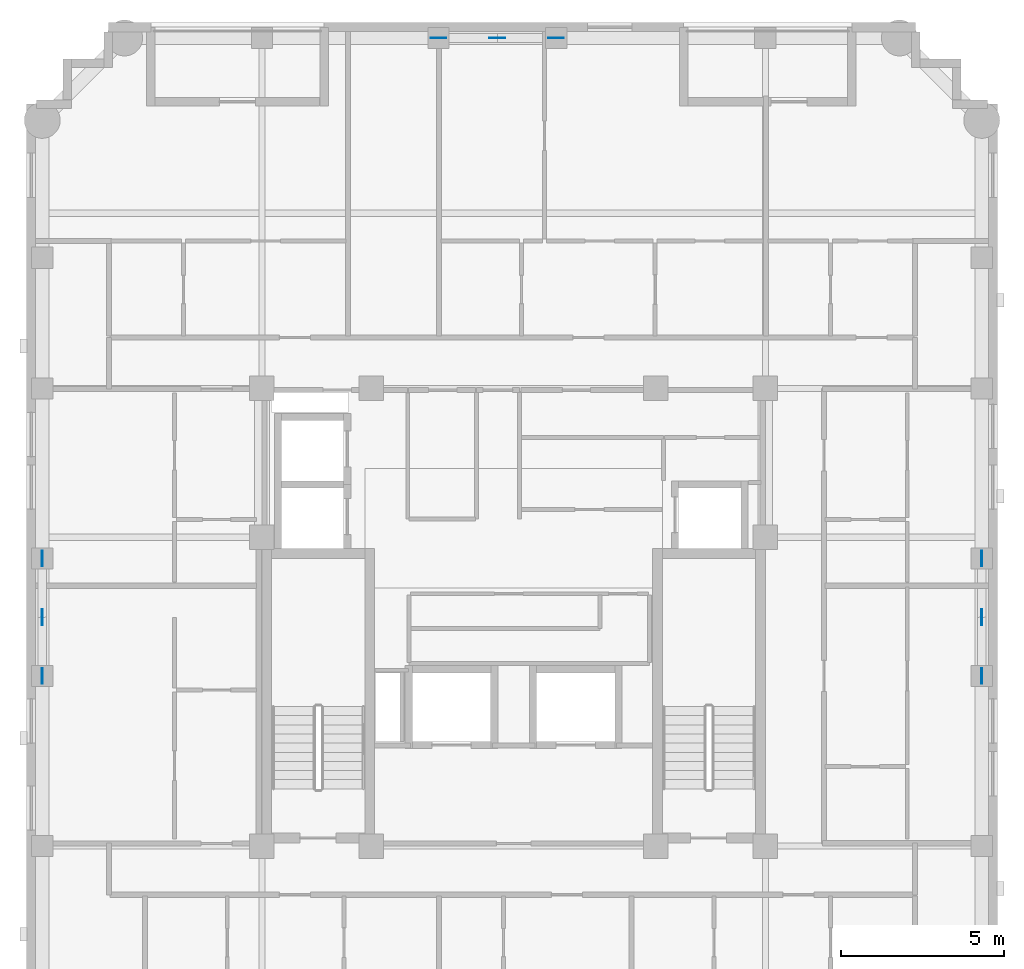
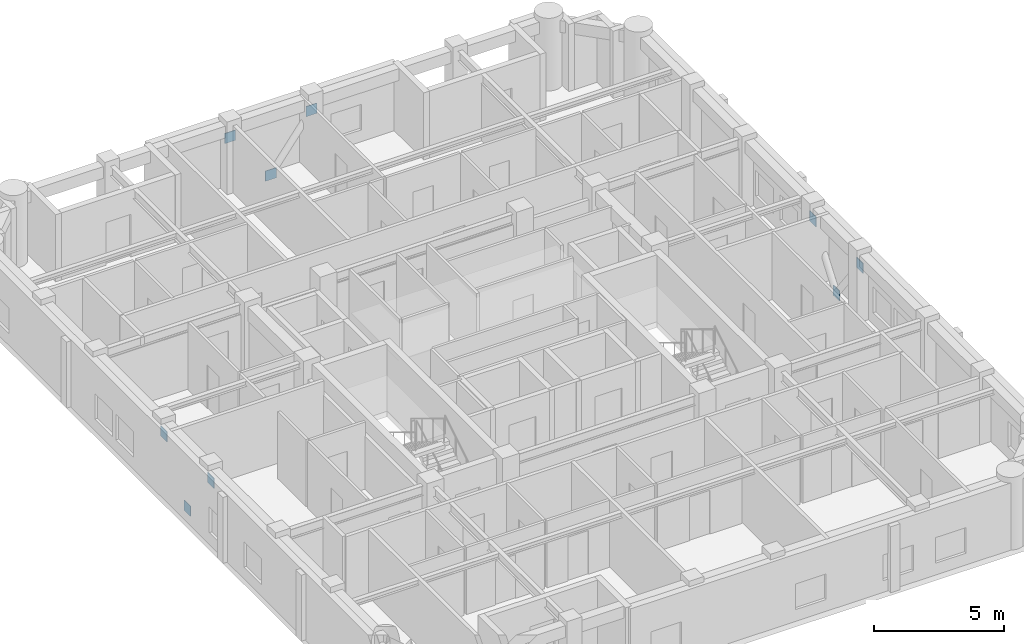
# One storey, part 8 of 10: 9 discrete accessories.
"""IFC4 building model written with IfcOpenShell, lengths in metres."""

from ifc_helpers import new_model, si_unit, derived_unit, direction, frame, origin, origin_2d, place, context, subcontext, project, spatial, rectangle, extrude, material, layer, layer_set, type_object, element, save


model = new_model("IFC4")

# Units and contexts
model_context = context("Model", 3, precision=1e-05, world=origin(), true_north=direction((0.0, 1.0)))
body_context = subcontext(model_context, "Body", "Model", "MODEL_VIEW")
ifc_project = project(units=[si_unit("LENGTHUNIT", "METRE"), si_unit("AREAUNIT", "SQUARE_METRE"), si_unit("VOLUMEUNIT", "CUBIC_METRE"), si_unit("PLANEANGLEUNIT", "RADIAN"), si_unit("MASSUNIT", "GRAM", prefix="KILO"), derived_unit("THERMALTRANSMITTANCEUNIT", [(si_unit("MASSUNIT", "GRAM", prefix="KILO"), 1), (si_unit("TIMEUNIT", "SECOND"), -3), (si_unit("THERMODYNAMICTEMPERATUREUNIT", "KELVIN"), -1)])], contexts=[model_context])

# Site, building, storey
site_placement = place(None, origin())
site = spatial("IfcSite", under=ifc_project, at=site_placement, CompositionType="ELEMENT")
building_placement = place(site_placement, origin())
building = spatial("IfcBuilding", under=site, at=building_placement, Name="Korrvale Station Residences", CompositionType="ELEMENT")
storey_placement = place(building_placement, frame((0.0, 0.0, 237.699951171875)))
storey = spatial("IfcBuildingStorey", under=building, at=storey_placement, Name="L69", CompositionType="ELEMENT", Elevation=237.699951171875)

# Discrete accessories
ifc_material = material(Name="Steel S355", Category="steel")
ifc_layer = layer(ifc_material, 0.02490234375, Name="Steel S355")
ifc_layer_set = layer_set([ifc_layer], Name="Steel S355")
discrete_accessory_type = type_object("IfcDiscreteAccessoryType", Name="ACC-GUSSET-25", PredefinedType="BRACKET", material=ifc_layer_set)
for number, where, z_axis, x_axis, name in (
    (1, (25.0, 39.719970703125, -0.219970703125), (0.0, 0.0, 1.0), (1.0, 0.0, 0.0), "L69 N Brace End Gusset Connection M"),
    (2, (23.199951171875, 39.719970703125, 2.170166015625), (0.0, 0.0, 1.0), (1.0, 0.0, 0.0), "L69 N Brace End Gusset Connection A"),
    (3, (26.800048828125, 39.719970703125, 2.170166015625), (0.0, 0.0, 1.0), (1.0, 0.0, 0.0), "L69 N Brace End Gusset Connection B"),
    (4, (11.080078125, 22.0, -0.219970703125), (0.0, 0.0, 1.0), (0.0, 1.0, 0.0), "L69 W Brace End Gusset Connection M"),
    (5, (11.080078125, 20.199951171875, 2.170166015625), (0.0, 0.0, 1.0), (0.0, 1.0, 0.0), "L69 W Brace End Gusset Connection A"),
    (6, (11.080078125, 23.800048828125, 2.170166015625), (0.0, 0.0, 1.0), (0.0, 1.0, 0.0), "L69 W Brace End Gusset Connection B"),
    (7, (39.820068359375, 22.0, -0.219970703125), (0.0, 0.0, 1.0), (0.0, 1.0, 0.0), "L69 E Brace End Gusset Connection M"),
    (8, (39.820068359375, 20.199951171875, 2.170166015625), (0.0, 0.0, 1.0), (0.0, 1.0, 0.0), "L69 E Brace End Gusset Connection A"),
    (9, (39.820068359375, 23.800048828125, 2.170166015625), (0.0, 0.0, 1.0), (0.0, 1.0, 0.0), "L69 E Brace End Gusset Connection B"),
):
    element("IfcDiscreteAccessory", number, at=place(storey_placement, frame(where, z_axis=z_axis, x_axis=x_axis)), inside=storey, type_object=discrete_accessory_type, Name=name, PredefinedType="BRACKET", context=body_context, shape_type="SweptSolid", body=[
        extrude(rectangle(XDim=0.47998046875, YDim=0.02490234375, at=origin_2d()), origin(), (0.0, 0.0, 1.0), 0.47998046875),
    ])

save(model, "model.ifc")
